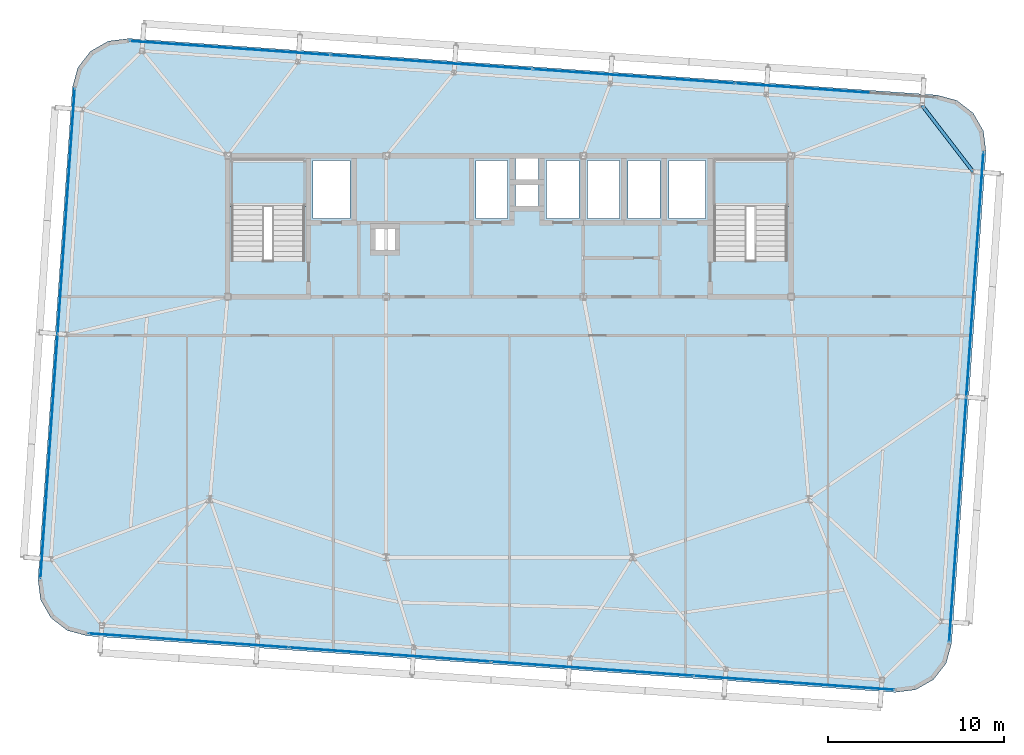
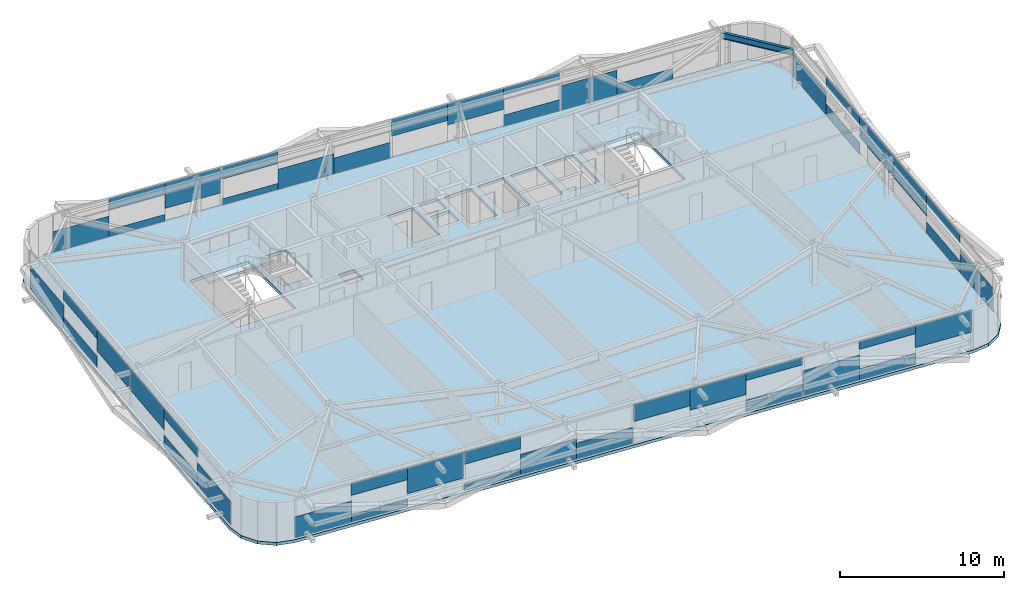
# One storey, part 25 of 39: 46 plates, 3 slabs, 1 beam, 6 elements without a shape of their own.
"""IFC4 building model written with IfcOpenShell, lengths in metres."""

from ifc_helpers import new_model, si_unit, direction, frame, origin, origin_2d, place, context, subcontext, project, spatial, polyline, rectangle, i_section, outline, extrude, source, transform, mapped, material, layer, layer_set, material_profile, profile_set, type_object, element, aggregate, save


model = new_model("IFC4")

# Units and contexts
model_context = context("Model", 3, precision=1e-05, world=origin(), true_north=direction((0.0, 1.0)))
body_context = subcontext(model_context, "Body", "Model", "MODEL_VIEW")
ifc_project = project(units=[si_unit("LENGTHUNIT", "METRE"), si_unit("AREAUNIT", "SQUARE_METRE"), si_unit("VOLUMEUNIT", "CUBIC_METRE"), si_unit("PLANEANGLEUNIT", "RADIAN"), si_unit("MASSUNIT", "GRAM", prefix="KILO")], contexts=[model_context])

# Site, building, storey
site_placement = place(None, origin())
site = spatial("IfcSite", under=ifc_project, at=site_placement, CompositionType="ELEMENT")
building_placement = place(site_placement, origin())
building = spatial("IfcBuilding", under=site, at=building_placement, Name="Taldren Reach Tower", CompositionType="ELEMENT")
storey_placement = place(building_placement, frame((0.0, 0.0, 148.75)))
storey = spatial("IfcBuildingStorey", under=building, at=storey_placement, Name="L45", CompositionType="ELEMENT", Elevation=148.75)

# Beam
ifc_material_1 = material(Name="Steel Gr 350 (350PLUS)", Category="steel")
ifc_material_profile = material_profile(ifc_material_1, i_section(OverallWidth=0.18994140625, OverallDepth=0.4541015625, WebThickness=0.008544921875, FlangeThickness=0.0126953125, at=origin_2d()), Name="460UB67.1")
ifc_profile_set = profile_set([ifc_material_profile], Name="Steel Gr 350 (350PLUS)")
beam_type = type_object("IfcBeamType", Name="SP-UB460B", PredefinedType="SPANDREL", material=ifc_profile_set)
shared_shape_1 = source(origin(), body_context, "Body", "SweptSolid", [
    extrude(i_section(OverallWidth=0.18994140625, OverallDepth=0.4541015625, WebThickness=0.008544921875, FlangeThickness=0.0126953125, at=origin_2d()), origin(), (0.0, 0.0, 1.0), 4.745849609375),
])
beam_placement = place(storey_placement, frame((61.3310546875, 31.1005859375, 2.702880859375), z_axis=(-0.609904656723, 0.792474800677, 0.0), x_axis=(-0.792474800677, -0.609904656723, 0.0)))
element("IfcBeam", 1, at=beam_placement, inside=storey, type_object=beam_type, Name="Perimeter spandrel B3 E3-N6 L45", PredefinedType="SPANDREL", context=body_context, shape_type="MappedRepresentation", body=[
    mapped(shared_shape_1, transform((0.0, 0.0, 0.0), scale=1.0)),
])

# Slab
ifc_material_2 = material(Name="Concrete N40 (40 MPa)", Category="concrete")
ifc_layer_1 = layer(ifc_material_2, 0.219970703125)
ifc_layer_set_1 = layer_set([ifc_layer_1], Name="Concrete N40 (40 MPa)")
slab_type_1 = type_object("IfcSlabType", Name="SL-FLR-220", PredefinedType="FLOOR", material=ifc_layer_set_1)
slab_1_placement = place(storey_placement, frame((0.0, 0.0, -0.219970703125)))
element("IfcSlab", 2, at=slab_1_placement, inside=storey, type_object=slab_type_1, Name="Suspended floor slab L45", PredefinedType="FLOOR", context=body_context, shape_type="SweptSolid", body=[
    extrude(outline(polyline([(56.908203125, 1.537109375), (58.0693359375, 1.684814453125), (59.08544921875, 2.265625), (59.80224609375, 3.191162109375), (60.110107421875, 4.320556640625), (62.063232421875, 32.252197265625), (61.91552734375, 33.413330078125), (61.334716796875, 34.4296875), (60.4091796875, 35.146240234375), (59.27978515625, 35.4541015625), (13.391845703125, 38.6630859375), (12.230712890625, 38.515380859375), (11.21435546875, 37.934326171875), (10.497802734375, 37.0087890625), (10.18994140625, 35.879638671875), (8.23681640625, 7.94775390625), (8.384521484375, 6.78662109375), (8.96533203125, 5.770263671875), (9.890869140625, 5.0537109375), (11.020263671875, 4.745849609375), (56.908203125, 1.537109375)]), holes=[polyline([(19.219970703125, 26.050048828125), (23.3798828125, 26.050048828125), (23.3798828125, 31.820068359375), (19.219970703125, 31.820068359375), (19.219970703125, 26.050048828125)]), polyline([(46.6201171875, 26.050048828125), (50.780029296875, 26.050048828125), (50.780029296875, 31.820068359375), (46.6201171875, 31.820068359375), (46.6201171875, 26.050048828125)]), polyline([(23.85009765625, 28.449951171875), (25.949951171875, 28.449951171875), (25.949951171875, 31.75), (23.85009765625, 31.75), (23.85009765625, 28.449951171875)]), polyline([(44.050048828125, 28.449951171875), (46.14990234375, 28.449951171875), (46.14990234375, 31.75), (44.050048828125, 31.75), (44.050048828125, 28.449951171875)]), polyline([(33.10009765625, 28.449951171875), (34.89990234375, 28.449951171875), (34.89990234375, 31.75), (33.10009765625, 31.75), (33.10009765625, 28.449951171875)]), polyline([(37.10009765625, 28.449951171875), (38.949951171875, 28.449951171875), (38.949951171875, 31.75), (37.10009765625, 31.75), (37.10009765625, 28.449951171875)]), polyline([(39.449951171875, 28.449951171875), (41.25, 28.449951171875), (41.25, 31.75), (39.449951171875, 31.75), (39.449951171875, 28.449951171875)]), polyline([(41.75, 28.449951171875), (43.550048828125, 28.449951171875), (43.550048828125, 31.75), (41.75, 31.75), (41.75, 28.449951171875)]), polyline([(35.35009765625, 30.64990234375), (36.64990234375, 30.64990234375), (36.64990234375, 31.85009765625), (35.35009765625, 31.85009765625), (35.35009765625, 30.64990234375)]), polyline([(35.35009765625, 29.14990234375), (36.64990234375, 29.14990234375), (36.64990234375, 30.35009765625), (35.35009765625, 30.35009765625), (35.35009765625, 29.14990234375)]), polyline([(27.39990234375, 26.64990234375), (28.5, 26.64990234375), (28.5, 27.85009765625), (27.39990234375, 27.85009765625), (27.39990234375, 26.64990234375)])]), origin(), (0.0, 0.0, 1.0), 0.219970703125),
])

# Stair, slab
ifc_material_3 = material(Name="Concrete S50 (50 MPa)", Category="concrete")
stair_type = type_object("IfcStairType", Name="ST-HT-315", PredefinedType="HALF_TURN_STAIR", material=ifc_material_3)
stair_1_placement = place(storey_placement, origin())
stair_1 = element("IfcStair", 3, at=stair_1_placement, inside=storey, type_object=stair_type, Name="Fire-isolated exit stair ST1 L45", PredefinedType="HALF_TURN_STAIR")
ifc_layer_2 = layer(ifc_material_3, 0.179931640625)
ifc_layer_set_2 = layer_set([ifc_layer_2], Name="Concrete S50 (50 MPa)")
slab_type_2 = type_object("IfcSlabType", Name="SL-LAND-180", PredefinedType="LANDING", material=ifc_layer_set_2)
slab_2_placement = place(storey_placement, frame((0.0, 0.0, 1.39501953125)))
slab_2 = element("IfcSlab", 4, at=slab_2_placement, type_object=slab_type_2, Name="ST1 landing 1", PredefinedType="LANDING", context=body_context, shape_type="SweptSolid", body=[
    extrude(outline(polyline([(19.0400390625, 29.135009765625), (23.56005859375, 29.135009765625), (23.56005859375, 31.8701171875), (19.0400390625, 31.8701171875), (19.0400390625, 29.135009765625)])), origin(), (0.0, 0.0, 1.0), 0.179931640625),
])
aggregate(stair_1, [slab_2])

stair_2_placement = place(storey_placement, origin())
stair_2 = element("IfcStair", 5, at=stair_2_placement, inside=storey, type_object=stair_type, Name="Fire-isolated exit stair ST2 L45", PredefinedType="HALF_TURN_STAIR")
slab_3_placement = place(storey_placement, frame((0.0, 0.0, 1.39501953125)))
slab_3 = element("IfcSlab", 6, at=slab_3_placement, type_object=slab_type_2, Name="ST2 landing 1", PredefinedType="LANDING", context=body_context, shape_type="SweptSolid", body=[
    extrude(outline(polyline([(46.43994140625, 29.135009765625), (50.9599609375, 29.135009765625), (50.9599609375, 31.8701171875), (46.43994140625, 31.8701171875), (46.43994140625, 29.135009765625)])), origin(), (0.0, 0.0, 1.0), 0.179931640625),
])
aggregate(stair_2, [slab_3])

# Curtain wall, plates
ifc_material_4 = material(Name="Aluminium and Low-E Glass Unitised System", Category="aluminium")
ifc_layer_3 = layer(ifc_material_4, 0.159912109375)
ifc_layer_set_3 = layer_set([ifc_layer_3], Name="Aluminium and Low-E Glass Unitised System")
curtain_wall_type = type_object("IfcCurtainWallType", Name="CW-SYS-4", PredefinedType="NOTDEFINED", material=ifc_layer_set_3)
curtain_wall_1_placement = place(storey_placement, origin())
curtain_wall_1 = element("IfcCurtainWall", 7, at=curtain_wall_1_placement, inside=storey, type_object=curtain_wall_type, Name="Unitised curtain wall CW-L45-S", PredefinedType="NOTDEFINED")
ifc_material_5 = material(Name="Solar-Control Double Glazed IGU", Category="glass")
ifc_layer_4 = layer(ifc_material_5, 0.031982421875)
ifc_layer_set_4 = layer_set([ifc_layer_4], Name="Solar-Control Double Glazed IGU")
plate_type = type_object("IfcPlateType", Name="CW-PNL-IGU32", PredefinedType="CURTAIN_PANEL", material=ifc_layer_set_4)
shared_shape_2 = source(origin(), body_context, "Body", "SweptSolid", [
    extrude(rectangle(XDim=3.79833984375, YDim=0.031982421875, at=origin_2d()), origin(), (0.0, 0.0, 1.0), 1.597900390625),
])
plate_1_placement = place(storey_placement, frame((54.95361328125, 1.81396484375, 1.27734375), z_axis=(0.0, 0.0, 1.0), x_axis=(0.99756404731, -0.06975651593, 0.0)))
plate_1 = element("IfcPlate", 8, at=plate_1_placement, type_object=plate_type, Name="CW-4 panel 4.1 part 4", PredefinedType="CURTAIN_PANEL", context=body_context, shape_type="MappedRepresentation", body=[
    mapped(shared_shape_2, transform((0.0, 0.0, 0.0), scale=1.0)),
])
shared_shape_3 = source(origin(), body_context, "Body", "SweptSolid", [
    extrude(rectangle(XDim=3.79833984375, YDim=0.031982421875, at=origin_2d()), origin(), (0.0, 0.0, 1.0), 0.787109375),
])
plate_2_placement = place(storey_placement, frame((51.16455078125, 2.0791015625, 0.054931640625), z_axis=(0.0, 0.0, 1.0), x_axis=(0.99756404731, -0.06975651593, 0.0)))
plate_2 = element("IfcPlate", 9, at=plate_2_placement, type_object=plate_type, Name="CW-4 panel 4.1 part 2", PredefinedType="CURTAIN_PANEL", context=body_context, shape_type="MappedRepresentation", body=[
    mapped(shared_shape_3, transform((0.0, 0.0, 0.0), scale=1.0)),
])

# Curtain wall, plate
curtain_wall_2_placement = place(storey_placement, origin())
curtain_wall_2 = element("IfcCurtainWall", 10, at=curtain_wall_2_placement, inside=storey, type_object=curtain_wall_type, Name="Unitised curtain wall CW-L45-N", PredefinedType="NOTDEFINED")
plate_3_placement = place(storey_placement, frame((53.5166015625, 35.716796875, 0.054931640625), z_axis=(0.0, 0.0, 1.0), x_axis=(-0.99756404731, 0.06975651593, 0.0)))
plate_3 = element("IfcPlate", 11, at=plate_3_placement, type_object=plate_type, Name="CW-4 panel 1.1 part 2", PredefinedType="CURTAIN_PANEL", context=body_context, shape_type="MappedRepresentation", body=[
    mapped(shared_shape_3, transform((0.0, 0.0, 0.0), scale=1.0)),
])

# Plate
shared_shape_4 = source(origin(), body_context, "Body", "SweptSolid", [
    extrude(rectangle(XDim=3.79833984375, YDim=0.031982421875, at=origin_2d()), origin(), (0.0, 0.0, 1.0), 0.558349609375),
])
plate_4_placement = place(storey_placement, frame((51.16455078125, 2.0791015625, 2.31640625), z_axis=(0.0, 0.0, 1.0), x_axis=(0.99756404731, -0.06975651593, 0.0)))
plate_4 = element("IfcPlate", 12, at=plate_4_placement, type_object=plate_type, Name="CW-4 panel 4.1 part 3", PredefinedType="CURTAIN_PANEL", context=body_context, shape_type="MappedRepresentation", body=[
    mapped(shared_shape_4, transform((0.0, 0.0, 0.0), scale=1.0)),
])

shared_shape_5 = source(origin(), body_context, "Body", "SweptSolid", [
    extrude(rectangle(XDim=3.79833984375, YDim=0.031982421875, at=origin_2d()), origin(), (0.0, 0.0, 1.0), 1.826416015625),
])
plate_5_placement = place(storey_placement, frame((47.375244140625, 2.343994140625, 0.05517578125), z_axis=(0.0, 0.0, 1.0), x_axis=(0.99756404731, -0.06975651593, 0.0)))
plate_5 = element("IfcPlate", 13, at=plate_5_placement, type_object=plate_type, Name="CW-4 panel 4.1 part 1", PredefinedType="CURTAIN_PANEL", context=body_context, shape_type="MappedRepresentation", body=[
    mapped(shared_shape_5, transform((0.0, 0.0, 0.0), scale=1.0)),
])

plate_6_placement = place(storey_placement, frame((49.7275390625, 35.981689453125, 0.05517578125), z_axis=(0.0, 0.0, 1.0), x_axis=(-0.99756404731, 0.06975651593, 0.0)))
plate_6 = element("IfcPlate", 14, at=plate_6_placement, type_object=plate_type, Name="CW-4 panel 1.1 part 4", PredefinedType="CURTAIN_PANEL", context=body_context, shape_type="MappedRepresentation", body=[
    mapped(shared_shape_5, transform((0.0, 0.0, 0.0), scale=1.0)),
])

shared_shape_6 = source(origin(), body_context, "Body", "SweptSolid", [
    extrude(rectangle(XDim=3.81005859375, YDim=0.031982421875, at=origin_2d()), origin(), (0.0, 0.0, 1.0), 0.8271484375),
])
plate_7_placement = place(storey_placement, frame((43.510498046875, 2.6142578125, 0.054931640625), z_axis=(0.0, 0.0, 1.0), x_axis=(0.99756404731, -0.06975651593, 0.0)))
plate_7 = element("IfcPlate", 15, at=plate_7_placement, type_object=plate_type, Name="CW-4 panel 3.1 part 3", PredefinedType="CURTAIN_PANEL", context=body_context, shape_type="MappedRepresentation", body=[
    mapped(shared_shape_6, transform((0.0, 0.0, 0.0), scale=1.0)),
])

plate_8_placement = place(storey_placement, frame((45.86279296875, 36.251953125, 0.054931640625), z_axis=(0.0, 0.0, 1.0), x_axis=(-0.99756404731, 0.06975651593, 0.0)))
plate_8 = element("IfcPlate", 16, at=plate_8_placement, type_object=plate_type, Name="CW-4 panel 2.1 part 1", PredefinedType="CURTAIN_PANEL", context=body_context, shape_type="MappedRepresentation", body=[
    mapped(shared_shape_6, transform((0.0, 0.0, 0.0), scale=1.0)),
])

shared_shape_7 = source(origin(), body_context, "Body", "SweptSolid", [
    extrude(rectangle(XDim=3.81005859375, YDim=0.031982421875, at=origin_2d()), origin(), (0.0, 0.0, 1.0), 0.51513671875),
])
plate_9_placement = place(storey_placement, frame((43.510498046875, 2.6142578125, 2.35986328125), z_axis=(0.0, 0.0, 1.0), x_axis=(0.99756404731, -0.06975651593, 0.0)))
plate_9 = element("IfcPlate", 17, at=plate_9_placement, type_object=plate_type, Name="CW-4 panel 3.1 part 4", PredefinedType="CURTAIN_PANEL", context=body_context, shape_type="MappedRepresentation", body=[
    mapped(shared_shape_7, transform((0.0, 0.0, 0.0), scale=1.0)),
])

plate_10_placement = place(storey_placement, frame((45.86279296875, 36.251953125, 2.35986328125), z_axis=(0.0, 0.0, 1.0), x_axis=(-0.99756404731, 0.06975651593, 0.0)))
plate_10 = element("IfcPlate", 18, at=plate_10_placement, type_object=plate_type, Name="CW-4 panel 2.1 part 2", PredefinedType="CURTAIN_PANEL", context=body_context, shape_type="MappedRepresentation", body=[
    mapped(shared_shape_7, transform((0.0, 0.0, 0.0), scale=1.0)),
])

shared_shape_8 = source(origin(), body_context, "Body", "SweptSolid", [
    extrude(rectangle(XDim=3.81005859375, YDim=0.031982421875, at=origin_2d()), origin(), (0.0, 0.0, 1.0), 1.5576171875),
])
plate_11_placement = place(storey_placement, frame((39.7099609375, 2.8798828125, 1.3173828125), z_axis=(0.0, 0.0, 1.0), x_axis=(0.99756404731, -0.06975651593, 0.0)))
plate_11 = element("IfcPlate", 19, at=plate_11_placement, type_object=plate_type, Name="CW-4 panel 3.1 part 2", PredefinedType="CURTAIN_PANEL", context=body_context, shape_type="MappedRepresentation", body=[
    mapped(shared_shape_8, transform((0.0, 0.0, 0.0), scale=1.0)),
])

plate_12_placement = place(storey_placement, frame((42.06201171875, 36.517822265625, 1.3173828125), z_axis=(0.0, 0.0, 1.0), x_axis=(-0.99756404731, 0.06975651593, 0.0)))
plate_12 = element("IfcPlate", 20, at=plate_12_placement, type_object=plate_type, Name="CW-4 panel 2.1 part 3", PredefinedType="CURTAIN_PANEL", context=body_context, shape_type="MappedRepresentation", body=[
    mapped(shared_shape_8, transform((0.0, 0.0, 0.0), scale=1.0)),
])

shared_shape_9 = source(origin(), body_context, "Body", "SweptSolid", [
    extrude(rectangle(XDim=3.81005859375, YDim=0.031982421875, at=origin_2d()), origin(), (0.0, 0.0, 1.0), 1.23193359375),
])
plate_13_placement = place(storey_placement, frame((35.9091796875, 3.145751953125, 1.64306640625), z_axis=(0.0, 0.0, 1.0), x_axis=(0.99756404731, -0.06975651593, 0.0)))
plate_13 = element("IfcPlate", 21, at=plate_13_placement, type_object=plate_type, Name="CW-4 panel 3.1 part 1", PredefinedType="CURTAIN_PANEL", context=body_context, shape_type="MappedRepresentation", body=[
    mapped(shared_shape_9, transform((0.0, 0.0, 0.0), scale=1.0)),
])

plate_14_placement = place(storey_placement, frame((38.261474609375, 36.78369140625, 1.64306640625), z_axis=(0.0, 0.0, 1.0), x_axis=(-0.99756404731, 0.06975651593, 0.0)))
plate_14 = element("IfcPlate", 22, at=plate_14_placement, type_object=plate_type, Name="CW-4 panel 2.1 part 4", PredefinedType="CURTAIN_PANEL", context=body_context, shape_type="MappedRepresentation", body=[
    mapped(shared_shape_9, transform((0.0, 0.0, 0.0), scale=1.0)),
])

shared_shape_10 = source(origin(), body_context, "Body", "SweptSolid", [
    extrude(rectangle(XDim=3.81005859375, YDim=0.031982421875, at=origin_2d()), origin(), (0.0, 0.0, 1.0), 1.172119140625),
])
plate_15_placement = place(storey_placement, frame((32.03857421875, 3.41650390625, 0.05517578125), z_axis=(0.0, 0.0, 1.0), x_axis=(0.99756404731, -0.06975651593, 0.0)))
plate_15 = element("IfcPlate", 23, at=plate_15_placement, type_object=plate_type, Name="CW-4 panel 2.1 part 4", PredefinedType="CURTAIN_PANEL", context=body_context, shape_type="MappedRepresentation", body=[
    mapped(shared_shape_10, transform((0.0, 0.0, 0.0), scale=1.0)),
])

plate_16_placement = place(storey_placement, frame((34.390869140625, 37.05419921875, 0.05517578125), z_axis=(0.0, 0.0, 1.0), x_axis=(-0.99756404731, 0.06975651593, 0.0)))
plate_16 = element("IfcPlate", 24, at=plate_16_placement, type_object=plate_type, Name="CW-4 panel 3.1 part 1", PredefinedType="CURTAIN_PANEL", context=body_context, shape_type="MappedRepresentation", body=[
    mapped(shared_shape_10, transform((0.0, 0.0, 0.0), scale=1.0)),
])

shared_shape_11 = source(origin(), body_context, "Body", "SweptSolid", [
    extrude(rectangle(XDim=3.81005859375, YDim=0.031982421875, at=origin_2d()), origin(), (0.0, 0.0, 1.0), 1.497802734375),
])
plate_17_placement = place(storey_placement, frame((28.23779296875, 3.68212890625, 0.05517578125), z_axis=(0.0, 0.0, 1.0), x_axis=(0.99756404731, -0.06975651593, 0.0)))
plate_17 = element("IfcPlate", 25, at=plate_17_placement, type_object=plate_type, Name="CW-4 panel 2.1 part 3", PredefinedType="CURTAIN_PANEL", context=body_context, shape_type="MappedRepresentation", body=[
    mapped(shared_shape_11, transform((0.0, 0.0, 0.0), scale=1.0)),
])

plate_18_placement = place(storey_placement, frame((30.590087890625, 37.320068359375, 0.05517578125), z_axis=(0.0, 0.0, 1.0), x_axis=(-0.99756404731, 0.06975651593, 0.0)))
plate_18 = element("IfcPlate", 26, at=plate_18_placement, type_object=plate_type, Name="CW-4 panel 3.1 part 2", PredefinedType="CURTAIN_PANEL", context=body_context, shape_type="MappedRepresentation", body=[
    mapped(shared_shape_11, transform((0.0, 0.0, 0.0), scale=1.0)),
])

shared_shape_12 = source(origin(), body_context, "Body", "SweptSolid", [
    extrude(rectangle(XDim=3.81005859375, YDim=0.031982421875, at=origin_2d()), origin(), (0.0, 0.0, 1.0), 0.455078125),
])
plate_19_placement = place(storey_placement, frame((24.437255859375, 3.947998046875, 0.054931640625), z_axis=(0.0, 0.0, 1.0), x_axis=(0.99756404731, -0.06975651593, 0.0)))
plate_19 = element("IfcPlate", 27, at=plate_19_placement, type_object=plate_type, Name="CW-4 panel 2.1 part 1", PredefinedType="CURTAIN_PANEL", context=body_context, shape_type="MappedRepresentation", body=[
    mapped(shared_shape_12, transform((0.0, 0.0, 0.0), scale=1.0)),
])

plate_20_placement = place(storey_placement, frame((26.789306640625, 37.585693359375, 0.054931640625), z_axis=(0.0, 0.0, 1.0), x_axis=(-0.99756404731, 0.06975651593, 0.0)))
plate_20 = element("IfcPlate", 28, at=plate_20_placement, type_object=plate_type, Name="CW-4 panel 3.1 part 3", PredefinedType="CURTAIN_PANEL", context=body_context, shape_type="MappedRepresentation", body=[
    mapped(shared_shape_12, transform((0.0, 0.0, 0.0), scale=1.0)),
])

shared_shape_13 = source(origin(), body_context, "Body", "SweptSolid", [
    extrude(rectangle(XDim=3.81005859375, YDim=0.031982421875, at=origin_2d()), origin(), (0.0, 0.0, 1.0), 0.88720703125),
])
plate_21_placement = place(storey_placement, frame((24.437255859375, 3.947998046875, 1.98779296875), z_axis=(0.0, 0.0, 1.0), x_axis=(0.99756404731, -0.06975651593, 0.0)))
plate_21 = element("IfcPlate", 29, at=plate_21_placement, type_object=plate_type, Name="CW-4 panel 2.1 part 2", PredefinedType="CURTAIN_PANEL", context=body_context, shape_type="MappedRepresentation", body=[
    mapped(shared_shape_13, transform((0.0, 0.0, 0.0), scale=1.0)),
])

plate_22_placement = place(storey_placement, frame((26.789306640625, 37.585693359375, 1.98779296875), z_axis=(0.0, 0.0, 1.0), x_axis=(-0.99756404731, 0.06975651593, 0.0)))
plate_22 = element("IfcPlate", 30, at=plate_22_placement, type_object=plate_type, Name="CW-4 panel 3.1 part 4", PredefinedType="CURTAIN_PANEL", context=body_context, shape_type="MappedRepresentation", body=[
    mapped(shared_shape_13, transform((0.0, 0.0, 0.0), scale=1.0)),
])

shared_shape_14 = source(origin(), body_context, "Body", "SweptSolid", [
    extrude(rectangle(XDim=3.79833984375, YDim=0.031982421875, at=origin_2d()), origin(), (0.0, 0.0, 1.0), 1.886474609375),
])
plate_23_placement = place(storey_placement, frame((20.572509765625, 4.21826171875, 0.98828125), z_axis=(0.0, 0.0, 1.0), x_axis=(0.99756404731, -0.06975651593, 0.0)))
plate_23 = element("IfcPlate", 31, at=plate_23_placement, type_object=plate_type, Name="CW-4 panel 1.1 part 4", PredefinedType="CURTAIN_PANEL", context=body_context, shape_type="MappedRepresentation", body=[
    mapped(shared_shape_14, transform((0.0, 0.0, 0.0), scale=1.0)),
])

plate_24_placement = place(storey_placement, frame((22.924560546875, 37.85595703125, 0.98828125), z_axis=(0.0, 0.0, 1.0), x_axis=(-0.99756404731, 0.06975651593, 0.0)))
plate_24 = element("IfcPlate", 32, at=plate_24_placement, type_object=plate_type, Name="CW-4 panel 4.1 part 1", PredefinedType="CURTAIN_PANEL", context=body_context, shape_type="MappedRepresentation", body=[
    mapped(shared_shape_14, transform((0.0, 0.0, 0.0), scale=1.0)),
])

shared_shape_15 = source(origin(), body_context, "Body", "SweptSolid", [
    extrude(rectangle(XDim=3.79833984375, YDim=0.031982421875, at=origin_2d()), origin(), (0.0, 0.0, 1.0), 0.498291015625),
])
plate_25_placement = place(storey_placement, frame((16.783447265625, 4.483154296875, 0.05517578125), z_axis=(0.0, 0.0, 1.0), x_axis=(0.99756404731, -0.06975651593, 0.0)))
plate_25 = element("IfcPlate", 33, at=plate_25_placement, type_object=plate_type, Name="CW-4 panel 1.1 part 2", PredefinedType="CURTAIN_PANEL", context=body_context, shape_type="MappedRepresentation", body=[
    mapped(shared_shape_15, transform((0.0, 0.0, 0.0), scale=1.0)),
])

plate_26_placement = place(storey_placement, frame((19.135498046875, 38.12109375, 0.05517578125), z_axis=(0.0, 0.0, 1.0), x_axis=(-0.99756404731, 0.06975651593, 0.0)))
plate_26 = element("IfcPlate", 34, at=plate_26_placement, type_object=plate_type, Name="CW-4 panel 4.1 part 2", PredefinedType="CURTAIN_PANEL", context=body_context, shape_type="MappedRepresentation", body=[
    mapped(shared_shape_15, transform((0.0, 0.0, 0.0), scale=1.0)),
])

shared_shape_16 = source(origin(), body_context, "Body", "SweptSolid", [
    extrude(rectangle(XDim=3.79833984375, YDim=0.031982421875, at=origin_2d()), origin(), (0.0, 0.0, 1.0), 0.84716796875),
])
plate_27_placement = place(storey_placement, frame((16.783447265625, 4.483154296875, 2.02783203125), z_axis=(0.0, 0.0, 1.0), x_axis=(0.99756404731, -0.06975651593, 0.0)))
plate_27 = element("IfcPlate", 35, at=plate_27_placement, type_object=plate_type, Name="CW-4 panel 1.1 part 3", PredefinedType="CURTAIN_PANEL", context=body_context, shape_type="MappedRepresentation", body=[
    mapped(shared_shape_16, transform((0.0, 0.0, 0.0), scale=1.0)),
])

plate_28_placement = place(storey_placement, frame((19.135498046875, 38.12109375, 2.02783203125), z_axis=(0.0, 0.0, 1.0), x_axis=(-0.99756404731, 0.06975651593, 0.0)))
plate_28 = element("IfcPlate", 36, at=plate_28_placement, type_object=plate_type, Name="CW-4 panel 4.1 part 3", PredefinedType="CURTAIN_PANEL", context=body_context, shape_type="MappedRepresentation", body=[
    mapped(shared_shape_16, transform((0.0, 0.0, 0.0), scale=1.0)),
])

shared_shape_17 = source(origin(), body_context, "Body", "SweptSolid", [
    extrude(rectangle(XDim=3.79833984375, YDim=0.031982421875, at=origin_2d()), origin(), (0.0, 0.0, 1.0), 1.537841796875),
])
plate_29_placement = place(storey_placement, frame((12.994384765625, 4.748046875, 0.05517578125), z_axis=(0.0, 0.0, 1.0), x_axis=(0.99756404731, -0.06975651593, 0.0)))
plate_29 = element("IfcPlate", 37, at=plate_29_placement, type_object=plate_type, Name="CW-4 panel 1.1 part 1", PredefinedType="CURTAIN_PANEL", context=body_context, shape_type="MappedRepresentation", body=[
    mapped(shared_shape_17, transform((0.0, 0.0, 0.0), scale=1.0)),
])

aggregate(curtain_wall_1, [plate_29, plate_25, plate_27, plate_23, plate_19, plate_21, plate_17, plate_15, plate_13, plate_11, plate_7, plate_9, plate_5, plate_2, plate_4, plate_1])

plate_30_placement = place(storey_placement, frame((15.346435546875, 38.385986328125, 0.05517578125), z_axis=(0.0, 0.0, 1.0), x_axis=(-0.99756404731, 0.06975651593, 0.0)))
plate_30 = element("IfcPlate", 38, at=plate_30_placement, type_object=plate_type, Name="CW-4 panel 4.1 part 4", PredefinedType="CURTAIN_PANEL", context=body_context, shape_type="MappedRepresentation", body=[
    mapped(shared_shape_17, transform((0.0, 0.0, 0.0), scale=1.0)),
])

aggregate(curtain_wall_2, [plate_3, plate_6, plate_8, plate_10, plate_12, plate_14, plate_16, plate_18, plate_20, plate_22, plate_24, plate_26, plate_28, plate_30])

# Curtain wall, plates
curtain_wall_3_placement = place(storey_placement, origin())
curtain_wall_3 = element("IfcCurtainWall", 39, at=curtain_wall_3_placement, inside=storey, type_object=curtain_wall_type, Name="Unitised curtain wall CW-L45-W", PredefinedType="NOTDEFINED")
shared_shape_18 = source(origin(), body_context, "Body", "SweptSolid", [
    extrude(rectangle(XDim=4.631591796875, YDim=0.031982421875, at=origin_2d()), origin(), (0.0, 0.0, 1.0), 1.716552734375),
])
plate_31_placement = place(storey_placement, frame((10.1630859375, 33.48974609375, 0.05517578125), z_axis=(0.0, 0.0, 1.0), x_axis=(-0.069756437251, -0.997564052812, 0.0)))
plate_31 = element("IfcPlate", 40, at=plate_31_placement, type_object=plate_type, Name="CW-4 panel 1.1 part 1", PredefinedType="CURTAIN_PANEL", context=body_context, shape_type="MappedRepresentation", body=[
    mapped(shared_shape_18, transform((0.0, 0.0, 0.0), scale=1.0)),
])
plate_32_placement = place(storey_placement, frame((8.542724609375, 10.318115234375, 0.05517578125), z_axis=(0.0, 0.0, 1.0), x_axis=(-0.069756437251, -0.997564052812, 0.0)))
plate_32 = element("IfcPlate", 41, at=plate_32_placement, type_object=plate_type, Name="CW-4 panel 2.1 part 4", PredefinedType="CURTAIN_PANEL", context=body_context, shape_type="MappedRepresentation", body=[
    mapped(shared_shape_18, transform((0.0, 0.0, 0.0), scale=1.0)),
])

curtain_wall_4_placement = place(storey_placement, origin())
curtain_wall_4 = element("IfcCurtainWall", 42, at=curtain_wall_4_placement, inside=storey, type_object=curtain_wall_type, Name="Unitised curtain wall CW-L45-E", PredefinedType="NOTDEFINED")
plate_33_placement = place(storey_placement, frame((60.136962890625, 6.710205078125, 0.05517578125), z_axis=(0.0, 0.0, 1.0), x_axis=(0.069756437251, 0.997564052812, 0.0)))
plate_33 = element("IfcPlate", 43, at=plate_33_placement, type_object=plate_type, Name="CW-4 panel 1.1 part 1", PredefinedType="CURTAIN_PANEL", context=body_context, shape_type="MappedRepresentation", body=[
    mapped(shared_shape_18, transform((0.0, 0.0, 0.0), scale=1.0)),
])
plate_34_placement = place(storey_placement, frame((61.757080078125, 29.882080078125, 0.05517578125), z_axis=(0.0, 0.0, 1.0), x_axis=(0.069756437251, 0.997564052812, 0.0)))
plate_34 = element("IfcPlate", 44, at=plate_34_placement, type_object=plate_type, Name="CW-4 panel 2.1 part 4", PredefinedType="CURTAIN_PANEL", context=body_context, shape_type="MappedRepresentation", body=[
    mapped(shared_shape_18, transform((0.0, 0.0, 0.0), scale=1.0)),
])

# Plate
shared_shape_19 = source(origin(), body_context, "Body", "SweptSolid", [
    extrude(rectangle(XDim=4.631591796875, YDim=0.031982421875, at=origin_2d()), origin(), (0.0, 0.0, 1.0), 0.837158203125),
])
plate_35_placement = place(storey_placement, frame((9.840087890625, 28.869384765625, 0.05517578125), z_axis=(0.0, 0.0, 1.0), x_axis=(-0.069756437251, -0.997564052812, 0.0)))
plate_35 = element("IfcPlate", 45, at=plate_35_placement, type_object=plate_type, Name="CW-4 panel 1.1 part 2", PredefinedType="CURTAIN_PANEL", context=body_context, shape_type="MappedRepresentation", body=[
    mapped(shared_shape_19, transform((0.0, 0.0, 0.0), scale=1.0)),
])

plate_36_placement = place(storey_placement, frame((8.865966796875, 14.9384765625, 0.05517578125), z_axis=(0.0, 0.0, 1.0), x_axis=(-0.069756437251, -0.997564052812, 0.0)))
plate_36 = element("IfcPlate", 46, at=plate_36_placement, type_object=plate_type, Name="CW-4 panel 2.1 part 2", PredefinedType="CURTAIN_PANEL", context=body_context, shape_type="MappedRepresentation", body=[
    mapped(shared_shape_19, transform((0.0, 0.0, 0.0), scale=1.0)),
])

plate_37_placement = place(storey_placement, frame((60.4599609375, 11.33056640625, 0.05517578125), z_axis=(0.0, 0.0, 1.0), x_axis=(0.069756437251, 0.997564052812, 0.0)))
plate_37 = element("IfcPlate", 47, at=plate_37_placement, type_object=plate_type, Name="CW-4 panel 1.1 part 2", PredefinedType="CURTAIN_PANEL", context=body_context, shape_type="MappedRepresentation", body=[
    mapped(shared_shape_19, transform((0.0, 0.0, 0.0), scale=1.0)),
])

plate_38_placement = place(storey_placement, frame((61.43408203125, 25.261474609375, 0.05517578125), z_axis=(0.0, 0.0, 1.0), x_axis=(0.069756437251, 0.997564052812, 0.0)))
plate_38 = element("IfcPlate", 48, at=plate_38_placement, type_object=plate_type, Name="CW-4 panel 2.1 part 2", PredefinedType="CURTAIN_PANEL", context=body_context, shape_type="MappedRepresentation", body=[
    mapped(shared_shape_19, transform((0.0, 0.0, 0.0), scale=1.0)),
])

shared_shape_20 = source(origin(), body_context, "Body", "SweptSolid", [
    extrude(rectangle(XDim=4.631591796875, YDim=0.031982421875, at=origin_2d()), origin(), (0.0, 0.0, 1.0), 0.676025390625),
])
plate_39_placement = place(storey_placement, frame((9.840087890625, 28.869384765625, 2.19873046875), z_axis=(0.0, 0.0, 1.0), x_axis=(-0.069756437251, -0.997564052812, 0.0)))
plate_39 = element("IfcPlate", 49, at=plate_39_placement, type_object=plate_type, Name="CW-4 panel 1.1 part 3", PredefinedType="CURTAIN_PANEL", context=body_context, shape_type="MappedRepresentation", body=[
    mapped(shared_shape_20, transform((0.0, 0.0, 0.0), scale=1.0)),
])

plate_40_placement = place(storey_placement, frame((8.865966796875, 14.9384765625, 2.19873046875), z_axis=(0.0, 0.0, 1.0), x_axis=(-0.069756437251, -0.997564052812, 0.0)))
plate_40 = element("IfcPlate", 50, at=plate_40_placement, type_object=plate_type, Name="CW-4 panel 2.1 part 3", PredefinedType="CURTAIN_PANEL", context=body_context, shape_type="MappedRepresentation", body=[
    mapped(shared_shape_20, transform((0.0, 0.0, 0.0), scale=1.0)),
])

plate_41_placement = place(storey_placement, frame((60.4599609375, 11.33056640625, 2.19873046875), z_axis=(0.0, 0.0, 1.0), x_axis=(0.069756437251, 0.997564052812, 0.0)))
plate_41 = element("IfcPlate", 51, at=plate_41_placement, type_object=plate_type, Name="CW-4 panel 1.1 part 3", PredefinedType="CURTAIN_PANEL", context=body_context, shape_type="MappedRepresentation", body=[
    mapped(shared_shape_20, transform((0.0, 0.0, 0.0), scale=1.0)),
])

plate_42_placement = place(storey_placement, frame((61.43408203125, 25.261474609375, 2.19873046875), z_axis=(0.0, 0.0, 1.0), x_axis=(0.069756437251, 0.997564052812, 0.0)))
plate_42 = element("IfcPlate", 52, at=plate_42_placement, type_object=plate_type, Name="CW-4 panel 2.1 part 3", PredefinedType="CURTAIN_PANEL", context=body_context, shape_type="MappedRepresentation", body=[
    mapped(shared_shape_20, transform((0.0, 0.0, 0.0), scale=1.0)),
])

shared_shape_21 = source(origin(), body_context, "Body", "SweptSolid", [
    extrude(rectangle(XDim=4.631591796875, YDim=0.031982421875, at=origin_2d()), origin(), (0.0, 0.0, 1.0), 1.555419921875),
])
plate_43_placement = place(storey_placement, frame((9.51708984375, 24.2490234375, 1.31982421875), z_axis=(0.0, 0.0, 1.0), x_axis=(-0.069756437251, -0.997564052812, 0.0)))
plate_43 = element("IfcPlate", 53, at=plate_43_placement, type_object=plate_type, Name="CW-4 panel 1.1 part 4", PredefinedType="CURTAIN_PANEL", context=body_context, shape_type="MappedRepresentation", body=[
    mapped(shared_shape_21, transform((0.0, 0.0, 0.0), scale=1.0)),
])

plate_44_placement = place(storey_placement, frame((9.18896484375, 19.558837890625, 1.31982421875), z_axis=(0.0, 0.0, 1.0), x_axis=(-0.069756437251, -0.997564052812, 0.0)))
plate_44 = element("IfcPlate", 54, at=plate_44_placement, type_object=plate_type, Name="CW-4 panel 2.1 part 1", PredefinedType="CURTAIN_PANEL", context=body_context, shape_type="MappedRepresentation", body=[
    mapped(shared_shape_21, transform((0.0, 0.0, 0.0), scale=1.0)),
])

aggregate(curtain_wall_3, [plate_31, plate_35, plate_39, plate_43, plate_44, plate_36, plate_40, plate_32])

plate_45_placement = place(storey_placement, frame((60.782958984375, 15.950927734375, 1.31982421875), z_axis=(0.0, 0.0, 1.0), x_axis=(0.069756437251, 0.997564052812, 0.0)))
plate_45 = element("IfcPlate", 55, at=plate_45_placement, type_object=plate_type, Name="CW-4 panel 1.1 part 4", PredefinedType="CURTAIN_PANEL", context=body_context, shape_type="MappedRepresentation", body=[
    mapped(shared_shape_21, transform((0.0, 0.0, 0.0), scale=1.0)),
])

plate_46_placement = place(storey_placement, frame((61.111083984375, 20.64111328125, 1.31982421875), z_axis=(0.0, 0.0, 1.0), x_axis=(0.069756437251, 0.997564052812, 0.0)))
plate_46 = element("IfcPlate", 56, at=plate_46_placement, type_object=plate_type, Name="CW-4 panel 2.1 part 1", PredefinedType="CURTAIN_PANEL", context=body_context, shape_type="MappedRepresentation", body=[
    mapped(shared_shape_21, transform((0.0, 0.0, 0.0), scale=1.0)),
])

aggregate(curtain_wall_4, [plate_33, plate_37, plate_41, plate_45, plate_46, plate_38, plate_42, plate_34])

save(model, "model.ifc")
